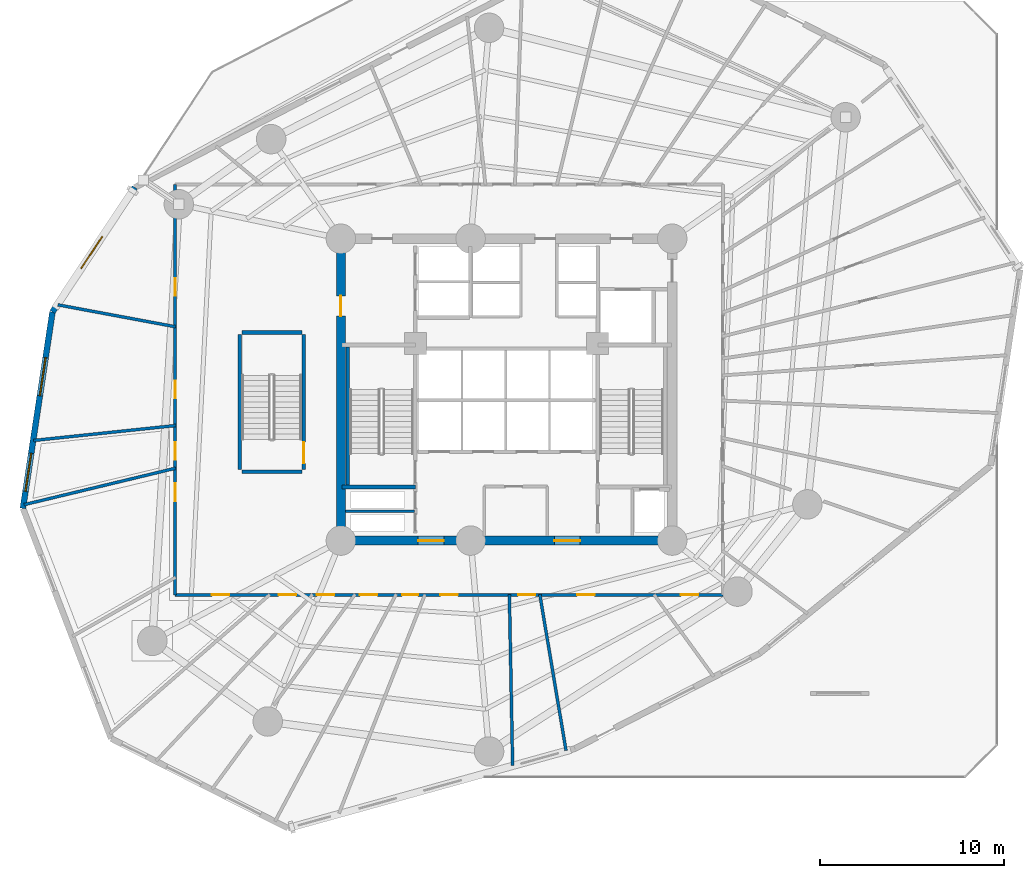
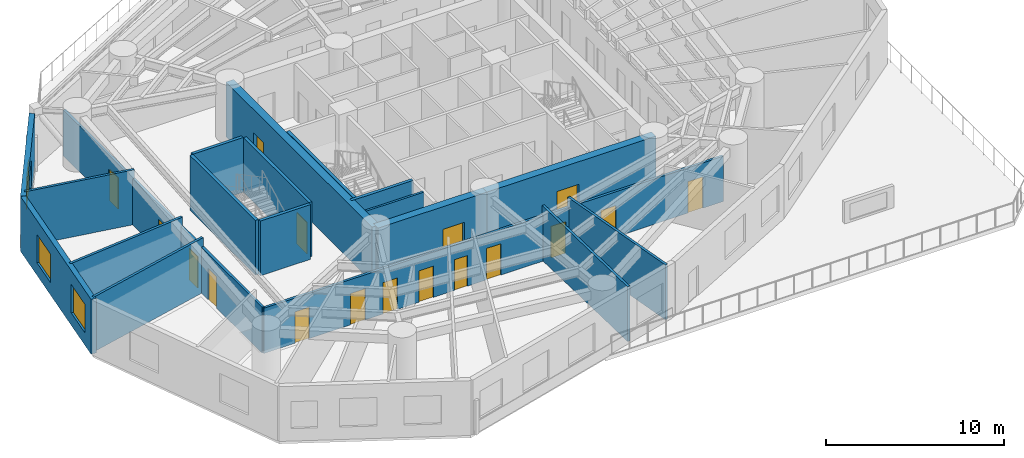
# One storey, part 7 of 16: 19 walls, 17 doors, 3 windows, 20 openings.
"""IFC4 building model written with IfcOpenShell, lengths in metres."""

from ifc_helpers import new_model, si_unit, direction, frame, frame_2d, origin, origin_with_axes, place, context, subcontext, project, spatial, rectangle, extrude, source, transform, mapped, material, layer, layer_set, type_object, element, fill, save


model = new_model("IFC4")

# Units and contexts
model_context = context("Model", 3, precision=1e-05, world=origin(), true_north=direction((0.0, 1.0)))
body_context = subcontext(model_context, "Body", "Model", "MODEL_VIEW")
ifc_project = project(units=[si_unit("LENGTHUNIT", "METRE"), si_unit("AREAUNIT", "SQUARE_METRE"), si_unit("VOLUMEUNIT", "CUBIC_METRE"), si_unit("PLANEANGLEUNIT", "RADIAN"), si_unit("MASSUNIT", "GRAM", prefix="KILO")], contexts=[model_context])

# Site, building, storey
site_placement = place(None, origin())
site = spatial("IfcSite", under=ifc_project, at=site_placement, CompositionType="ELEMENT")
building_placement = place(site_placement, origin())
building = spatial("IfcBuilding", under=site, at=building_placement, Name="Karkom Vertical University and Central Library", CompositionType="ELEMENT")
storey_placement = place(building_placement, frame((0.0, 0.0, 22.5)))
storey = spatial("IfcBuildingStorey", under=building, at=storey_placement, Name="L05", CompositionType="ELEMENT", Elevation=22.5)

# Wall, opening, window
ifc_material_1 = material(Name="Brick-faced precast concrete C45/55", Category="masonry")
ifc_layer_1 = layer(ifc_material_1, 0.320068359375)
ifc_layer_set_1 = layer_set([ifc_layer_1], Name="Brick-faced precast concrete C45/55")
wall_type_1 = type_object("IfcWallType", Name="ENV-WL-BRK-320", PredefinedType="SOLIDWALL", material=ifc_layer_set_1)
wall_1_placement = place(storey_placement, frame((8.303466796875, 37.48974609375, 0.0), z_axis=(0.0, 0.0, 1.0), x_axis=(-0.550902166831, -0.83456983086, 0.0)))
wall_1 = element("IfcWall", 1, at=wall_1_placement, inside=storey, type_object=wall_type_1, Name="Level 05 Brick-Faced Precast Facade Wall 01", PredefinedType="SOLIDWALL", context=body_context, shape_type="SweptSolid", body=[
    extrude(rectangle(XDim=8.11181640625, YDim=0.320068359375, at=frame_2d((4.055908203125, 0.0))), origin(), (0.0, 0.0, 1.0), 3.75),
])
opening_1_placement = place(wall_1_placement, frame((3.189208984375, 0.0, 0.85009765625)))
opening_1 = element("IfcOpeningElement", 2, at=opening_1_placement, cuts=wall_1, Name="Opening WN-03", PredefinedType="OPENING", context=body_context, shape_type="SweptSolid", body=[
    extrude(rectangle(XDim=2.10009765625, YDim=1.949951171875, at=frame_2d((1.050048828125, 0.97509765625))), frame((0.0, 0.169921875, 0.0), z_axis=(0.0, -1.0, 0.0), x_axis=(1.0, 0.0, 0.0)), (0.0, 0.0, 1.0), 0.340087890625),
])
ifc_material_2 = material(Name="Aluminium thermal-break frame with solar-control IGU", Category="aluminium")
window_type = type_object("IfcWindowType", Name="ENV-WIN-WN-03", PartitioningType="SINGLE_PANEL", PredefinedType="WINDOW", material=ifc_material_2)
shared_shape_1 = source(origin_with_axes(), body_context, "Body", "SweptSolid", [
    extrude(rectangle(XDim=2.10009765625, YDim=1.949951171875, at=frame_2d((1.050048828125, 0.97509765625))), frame((0.0, 0.030029296875, 0.0), z_axis=(0.0, -1.0, 0.0), x_axis=(1.0, 0.0, 0.0)), (0.0, 0.0, 1.0), 0.06005859375),
])
window_1_placement = place(opening_1_placement, origin())
window_1 = element("IfcWindow", 3, at=window_1_placement, inside=storey, type_object=window_type, Name="Level 05 Punched Window 1.1", OverallHeight=1.949951171875, OverallWidth=2.10009765625, PartitioningType="SINGLE_PANEL", PredefinedType="WINDOW", context=body_context, shape_type="MappedRepresentation", body=[
    mapped(shared_shape_1, transform((0.0, 0.0, 0.0), scale=1.0)),
])
fill(opening_1, window_1)

# Wall, openings, windows
wall_2_placement = place(storey_placement, frame((3.834716796875, 30.719970703125, 0.0), z_axis=(0.0, 0.0, 1.0), x_axis=(-0.148854906236, -0.988859048039, 0.0)))
wall_2 = element("IfcWall", 4, at=wall_2_placement, inside=storey, type_object=wall_type_1, Name="Level 05 Brick-Faced Precast Facade Wall 02", PredefinedType="SOLIDWALL", context=body_context, shape_type="SweptSolid", body=[
    extrude(rectangle(XDim=10.790283203125, YDim=0.320068359375, at=frame_2d((5.39501953125, 0.0))), origin(), (0.0, 0.0, 1.0), 3.75),
])
opening_2_placement = place(wall_2_placement, frame((2.50341796875, 0.0, 0.85009765625)))
opening_2 = element("IfcOpeningElement", 5, at=opening_2_placement, cuts=wall_2, Name="Opening WN-03", PredefinedType="OPENING", context=body_context, shape_type="SweptSolid", body=[
    extrude(rectangle(XDim=2.10009765625, YDim=1.949951171875, at=frame_2d((1.050048828125, 0.97509765625))), frame((0.0, 0.169921875, 0.0), z_axis=(0.0, -1.0, 0.0), x_axis=(1.0, 0.0, 0.0)), (0.0, 0.0, 1.0), 0.340087890625),
])
opening_3_placement = place(wall_2_placement, frame((7.75830078125, 0.0, 0.85009765625)))
opening_3 = element("IfcOpeningElement", 6, at=opening_3_placement, cuts=wall_2, Name="Opening WN-03", PredefinedType="OPENING", context=body_context, shape_type="SweptSolid", body=[
    extrude(rectangle(XDim=2.10009765625, YDim=1.949951171875, at=frame_2d((1.050048828125, 0.97509765625))), frame((0.0, 0.169921875, 0.0), z_axis=(0.0, -1.0, 0.0), x_axis=(1.0, 0.0, 0.0)), (0.0, 0.0, 1.0), 0.340087890625),
])
window_2_placement = place(opening_2_placement, origin())
window_2 = element("IfcWindow", 7, at=window_2_placement, inside=storey, type_object=window_type, Name="Level 05 Punched Window 2.1", OverallHeight=1.949951171875, OverallWidth=2.10009765625, PartitioningType="SINGLE_PANEL", PredefinedType="WINDOW", context=body_context, shape_type="MappedRepresentation", body=[
    mapped(shared_shape_1, transform((0.0, 0.0, 0.0), scale=1.0)),
])
fill(opening_2, window_2)
window_3_placement = place(opening_3_placement, origin())
window_3 = element("IfcWindow", 8, at=window_3_placement, inside=storey, type_object=window_type, Name="Level 05 Punched Window 2.2", OverallHeight=1.949951171875, OverallWidth=2.10009765625, PartitioningType="SINGLE_PANEL", PredefinedType="WINDOW", context=body_context, shape_type="MappedRepresentation", body=[
    mapped(shared_shape_1, transform((0.0, 0.0, 0.0), scale=1.0)),
])
fill(opening_3, window_3)

# Wall, openings, doors
ifc_material_3 = material(Name="Insulated metal-stud drywall 160mm", Category="gypsum")
ifc_layer_2 = layer(ifc_material_3, 0.159912109375)
ifc_layer_set_2 = layer_set([ifc_layer_2], Name="Insulated metal-stud drywall 160mm")
wall_type_2 = type_object("IfcWallType", Name="INT-WL-COR-160", PredefinedType="PARTITIONING", material=ifc_layer_set_2)
wall_3_placement = place(storey_placement, frame((40.25, 15.35009765625, 0.0), z_axis=(0.0, 0.0, 1.0), x_axis=(-1.0, 0.0, 0.0)))
wall_3 = element("IfcWall", 9, at=wall_3_placement, inside=storey, type_object=wall_type_2, Name="Level 05 Interior Partition Wall Level 05-CORW-CW-001", PredefinedType="PARTITIONING", context=body_context, shape_type="SweptSolid", body=[
    extrude(rectangle(XDim=29.75, YDim=0.159912109375, at=frame_2d((14.875, 0.0))), origin(), (0.0, 0.0, 1.0), 3.10009765625),
])
opening_4_placement = place(wall_3_placement, frame((26.802978515625, 0.0, 0.0)))
opening_4 = element("IfcOpeningElement", 10, at=opening_4_placement, cuts=wall_3, Name="Opening D-RM1", PredefinedType="OPENING", context=body_context, shape_type="SweptSolid", body=[
    extrude(rectangle(XDim=0.949951171875, YDim=2.14990234375, at=frame_2d((0.47509765625, 1.074951171875))), frame((0.0, 0.08984375, 0.0), z_axis=(0.0, -1.0, 0.0), x_axis=(1.0, 0.0, 0.0)), (0.0, 0.0, 1.0), 0.179931640625),
])
opening_5_placement = place(wall_3_placement, frame((23.18017578125, 0.0, 0.0)))
opening_5 = element("IfcOpeningElement", 11, at=opening_5_placement, cuts=wall_3, Name="Opening D-RM1", PredefinedType="OPENING", context=body_context, shape_type="SweptSolid", body=[
    extrude(rectangle(XDim=0.949951171875, YDim=2.14990234375, at=frame_2d((0.47509765625, 1.074951171875))), frame((0.0, 0.08984375, 0.0), z_axis=(0.0, -1.0, 0.0), x_axis=(1.0, 0.0, 0.0)), (0.0, 0.0, 1.0), 0.179931640625),
])
opening_6_placement = place(wall_3_placement, frame((21.097412109375, 0.0, 0.0)))
opening_6 = element("IfcOpeningElement", 12, at=opening_6_placement, cuts=wall_3, Name="Opening D-RM1", PredefinedType="OPENING", context=body_context, shape_type="SweptSolid", body=[
    extrude(rectangle(XDim=0.949951171875, YDim=2.14990234375, at=frame_2d((0.47509765625, 1.074951171875))), frame((0.0, 0.08984375, 0.0), z_axis=(0.0, -1.0, 0.0), x_axis=(1.0, 0.0, 0.0)), (0.0, 0.0, 1.0), 0.179931640625),
])
opening_7_placement = place(wall_3_placement, frame((18.7724609375, 0.0, 0.0)))
opening_7 = element("IfcOpeningElement", 13, at=opening_7_placement, cuts=wall_3, Name="Opening D-RM1", PredefinedType="OPENING", context=body_context, shape_type="SweptSolid", body=[
    extrude(rectangle(XDim=0.949951171875, YDim=2.14990234375, at=frame_2d((0.47509765625, 1.074951171875))), frame((0.0, 0.08984375, 0.0), z_axis=(0.0, -1.0, 0.0), x_axis=(1.0, 0.0, 0.0)), (0.0, 0.0, 1.0), 0.179931640625),
])
opening_8_placement = place(wall_3_placement, frame((16.55810546875, 0.0, 0.0)))
opening_8 = element("IfcOpeningElement", 14, at=opening_8_placement, cuts=wall_3, Name="Opening FD-BTH1", PredefinedType="OPENING", context=body_context, shape_type="SweptSolid", body=[
    extrude(rectangle(XDim=0.860107421875, YDim=2.10009765625, at=frame_2d((0.43017578125, 1.050048828125))), frame((0.0, 0.08984375, 0.0), z_axis=(0.0, -1.0, 0.0), x_axis=(1.0, 0.0, 0.0)), (0.0, 0.0, 1.0), 0.179931640625),
])
opening_9_placement = place(wall_3_placement, frame((14.39990234375, 0.0, 0.0)))
opening_9 = element("IfcOpeningElement", 15, at=opening_9_placement, cuts=wall_3, Name="Opening D-RM1", PredefinedType="OPENING", context=body_context, shape_type="SweptSolid", body=[
    extrude(rectangle(XDim=0.949951171875, YDim=2.14990234375, at=frame_2d((0.47509765625, 1.074951171875))), frame((0.0, 0.08984375, 0.0), z_axis=(0.0, -1.0, 0.0), x_axis=(1.0, 0.0, 0.0)), (0.0, 0.0, 1.0), 0.179931640625),
])
opening_10_placement = place(wall_3_placement, frame((10.177490234375, 0.0, 0.0)))
opening_10 = element("IfcOpeningElement", 16, at=opening_10_placement, cuts=wall_3, Name="Opening D-RM1", PredefinedType="OPENING", context=body_context, shape_type="SweptSolid", body=[
    extrude(rectangle(XDim=0.949951171875, YDim=2.14990234375, at=frame_2d((0.47509765625, 1.074951171875))), frame((0.0, 0.08984375, 0.0), z_axis=(0.0, -1.0, 0.0), x_axis=(1.0, 0.0, 0.0)), (0.0, 0.0, 1.0), 0.179931640625),
])
opening_11_placement = place(wall_3_placement, frame((6.96240234375, 0.0, 0.0)))
opening_11 = element("IfcOpeningElement", 17, at=opening_11_placement, cuts=wall_3, Name="Opening FD-RM2", PredefinedType="OPENING", context=body_context, shape_type="SweptSolid", body=[
    extrude(rectangle(XDim=0.9599609375, YDim=2.14990234375, at=frame_2d((0.47998046875, 1.074951171875))), frame((0.0, 0.08984375, 0.0), z_axis=(0.0, -1.0, 0.0), x_axis=(1.0, 0.0, 0.0)), (0.0, 0.0, 1.0), 0.179931640625),
])
opening_12_placement = place(wall_3_placement, frame((1.324951171875, 0.0, 0.0)))
opening_12 = element("IfcOpeningElement", 18, at=opening_12_placement, cuts=wall_3, Name="Opening D-RM1", PredefinedType="OPENING", context=body_context, shape_type="SweptSolid", body=[
    extrude(rectangle(XDim=0.949951171875, YDim=2.14990234375, at=frame_2d((0.47509765625, 1.074951171875))), frame((0.0, 0.08984375, 0.0), z_axis=(0.0, -1.0, 0.0), x_axis=(1.0, 0.0, 0.0)), (0.0, 0.0, 1.0), 0.179931640625),
])
ifc_material_4 = material(Name="Fire-rated oak veneer door", Category="wood")
door_type_1 = type_object("IfcDoorType", Name="INT-DR-FRM2", OperationType="NOTDEFINED", PredefinedType="DOOR", material=ifc_material_4)
shared_shape_2 = source(origin_with_axes(), body_context, "Body", "SweptSolid", [
    extrude(rectangle(XDim=0.9599609375, YDim=2.14990234375, at=frame_2d((0.47998046875, 1.074951171875))), frame((0.0, 0.02490234375, 0.0), z_axis=(0.0, -1.0, 0.0), x_axis=(1.0, 0.0, 0.0)), (0.0, 0.0, 1.0), 0.050048828125),
])
door_1_placement = place(opening_11_placement, origin())
door_1 = element("IfcDoor", 19, at=door_1_placement, inside=storey, type_object=door_type_1, Name="Level 05 Room Entry Door 090", OperationType="SINGLE_SWING_RIGHT", OverallHeight=2.14990234375, OverallWidth=0.9599609375, PredefinedType="DOOR", context=body_context, shape_type="MappedRepresentation", body=[
    mapped(shared_shape_2, transform((0.0, 0.0, 0.0), scale=1.0)),
])
fill(opening_11, door_1)
ifc_material_5 = material(Name="Fire-rated moisture-resistant oak door", Category="wood")
door_type_2 = type_object("IfcDoorType", Name="INT-DR-FBTH1", OperationType="NOTDEFINED", PredefinedType="DOOR", material=ifc_material_5)
shared_shape_3 = source(origin_with_axes(), body_context, "Body", "SweptSolid", [
    extrude(rectangle(XDim=0.860107421875, YDim=2.10009765625, at=frame_2d((0.43017578125, 1.050048828125))), frame((0.0, 0.02490234375, 0.0), z_axis=(0.0, -1.0, 0.0), x_axis=(1.0, 0.0, 0.0)), (0.0, 0.0, 1.0), 0.050048828125),
])
door_2_placement = place(opening_8_placement, origin())
door_2 = element("IfcDoor", 20, at=door_2_placement, inside=storey, type_object=door_type_2, Name="Level 05 Room Entry Door 060", OperationType="SINGLE_SWING_LEFT", OverallHeight=2.10009765625, OverallWidth=0.860107421875, PredefinedType="DOOR", context=body_context, shape_type="MappedRepresentation", body=[
    mapped(shared_shape_3, transform((0.0, 0.0, 0.0), scale=1.0)),
])
fill(opening_8, door_2)
ifc_material_6 = material(Name="Solid-core oak veneer door", Category="wood")
door_type_3 = type_object("IfcDoorType", Name="INT-DR-RM1", OperationType="NOTDEFINED", PredefinedType="DOOR", material=ifc_material_6)
shared_shape_4 = source(origin_with_axes(), body_context, "Body", "SweptSolid", [
    extrude(rectangle(XDim=0.949951171875, YDim=2.14990234375, at=frame_2d((0.47509765625, 1.074951171875))), frame((0.0, 0.02490234375, 0.0), z_axis=(0.0, -1.0, 0.0), x_axis=(1.0, 0.0, 0.0)), (0.0, 0.0, 1.0), 0.050048828125),
])
door_3_placement = place(opening_4_placement, origin())
door_3 = element("IfcDoor", 21, at=door_3_placement, inside=storey, type_object=door_type_3, Name="Level 05 Room Entry Door 020", OperationType="SINGLE_SWING_LEFT", OverallHeight=2.14990234375, OverallWidth=0.949951171875, PredefinedType="DOOR", context=body_context, shape_type="MappedRepresentation", body=[
    mapped(shared_shape_4, transform((0.0, 0.0, 0.0), scale=1.0)),
])
fill(opening_4, door_3)
door_4_placement = place(opening_5_placement, origin())
door_4 = element("IfcDoor", 22, at=door_4_placement, inside=storey, type_object=door_type_3, Name="Level 05 Room Entry Door 030", OperationType="SINGLE_SWING_RIGHT", OverallHeight=2.14990234375, OverallWidth=0.949951171875, PredefinedType="DOOR", context=body_context, shape_type="MappedRepresentation", body=[
    mapped(shared_shape_4, transform((0.0, 0.0, 0.0), scale=1.0)),
])
fill(opening_5, door_4)
door_5_placement = place(opening_6_placement, origin())
door_5 = element("IfcDoor", 23, at=door_5_placement, inside=storey, type_object=door_type_3, Name="Level 05 Room Entry Door 040", OperationType="SINGLE_SWING_LEFT", OverallHeight=2.14990234375, OverallWidth=0.949951171875, PredefinedType="DOOR", context=body_context, shape_type="MappedRepresentation", body=[
    mapped(shared_shape_4, transform((0.0, 0.0, 0.0), scale=1.0)),
])
fill(opening_6, door_5)
door_6_placement = place(opening_7_placement, origin())
door_6 = element("IfcDoor", 24, at=door_6_placement, inside=storey, type_object=door_type_3, Name="Level 05 Room Entry Door 050", OperationType="SINGLE_SWING_RIGHT", OverallHeight=2.14990234375, OverallWidth=0.949951171875, PredefinedType="DOOR", context=body_context, shape_type="MappedRepresentation", body=[
    mapped(shared_shape_4, transform((0.0, 0.0, 0.0), scale=1.0)),
])
fill(opening_7, door_6)
door_7_placement = place(opening_9_placement, origin())
door_7 = element("IfcDoor", 25, at=door_7_placement, inside=storey, type_object=door_type_3, Name="Level 05 Room Entry Door 070", OperationType="SINGLE_SWING_RIGHT", OverallHeight=2.14990234375, OverallWidth=0.949951171875, PredefinedType="DOOR", context=body_context, shape_type="MappedRepresentation", body=[
    mapped(shared_shape_4, transform((0.0, 0.0, 0.0), scale=1.0)),
])
fill(opening_9, door_7)
door_8_placement = place(opening_10_placement, origin())
door_8 = element("IfcDoor", 26, at=door_8_placement, inside=storey, type_object=door_type_3, Name="Level 05 Room Entry Door 080", OperationType="SINGLE_SWING_LEFT", OverallHeight=2.14990234375, OverallWidth=0.949951171875, PredefinedType="DOOR", context=body_context, shape_type="MappedRepresentation", body=[
    mapped(shared_shape_4, transform((0.0, 0.0, 0.0), scale=1.0)),
])
fill(opening_10, door_8)
door_9_placement = place(opening_12_placement, origin())
door_9 = element("IfcDoor", 27, at=door_9_placement, inside=storey, type_object=door_type_3, Name="Level 05 Room Entry Door 100", OperationType="SINGLE_SWING_LEFT", OverallHeight=2.14990234375, OverallWidth=0.949951171875, PredefinedType="DOOR", context=body_context, shape_type="MappedRepresentation", body=[
    mapped(shared_shape_4, transform((0.0, 0.0, 0.0), scale=1.0)),
])
fill(opening_12, door_9)

wall_4_placement = place(storey_placement, frame((10.5, 15.35009765625, 0.0), z_axis=(0.0, 0.0, 1.0), x_axis=(0.0, 1.0, 0.0)))
wall_4 = element("IfcWall", 28, at=wall_4_placement, inside=storey, type_object=wall_type_2, Name="Level 05 Interior Partition Wall Level 05-CORW-CW-002", PredefinedType="PARTITIONING", context=body_context, shape_type="SweptSolid", body=[
    extrude(rectangle(XDim=22.2998046875, YDim=0.159912109375, at=frame_2d((11.14990234375, 0.0))), origin(), (0.0, 0.0, 1.0), 3.14990234375),
])
opening_13_placement = place(wall_4_placement, frame((7.330078125, 0.0, 0.0)))
opening_13 = element("IfcOpeningElement", 29, at=opening_13_placement, cuts=wall_4, Name="Opening D-RM1", PredefinedType="OPENING", context=body_context, shape_type="SweptSolid", body=[
    extrude(rectangle(XDim=0.949951171875, YDim=2.14990234375, at=frame_2d((0.47509765625, 1.074951171875))), frame((0.0, 0.08984375, 0.0), z_axis=(0.0, -1.0, 0.0), x_axis=(1.0, 0.0, 0.0)), (0.0, 0.0, 1.0), 0.179931640625),
])
opening_14_placement = place(wall_4_placement, frame((5.10009765625, 0.0, 0.0)))
opening_14 = element("IfcOpeningElement", 30, at=opening_14_placement, cuts=wall_4, Name="Opening FD-RM2", PredefinedType="OPENING", context=body_context, shape_type="SweptSolid", body=[
    extrude(rectangle(XDim=0.9599609375, YDim=2.14990234375, at=frame_2d((0.47998046875, 1.074951171875))), frame((0.0, 0.08984375, 0.0), z_axis=(0.0, -1.0, 0.0), x_axis=(1.0, 0.0, 0.0)), (0.0, 0.0, 1.0), 0.179931640625),
])
opening_15_placement = place(wall_4_placement, frame((16.25, 0.0, 0.0)))
opening_15 = element("IfcOpeningElement", 31, at=opening_15_placement, cuts=wall_4, Name="Opening D-RM1", PredefinedType="OPENING", context=body_context, shape_type="SweptSolid", body=[
    extrude(rectangle(XDim=0.949951171875, YDim=2.14990234375, at=frame_2d((0.47509765625, 1.074951171875))), frame((0.0, 0.08984375, 0.0), z_axis=(0.0, -1.0, 0.0), x_axis=(1.0, 0.0, 0.0)), (0.0, 0.0, 1.0), 0.179931640625),
])
opening_16_placement = place(wall_4_placement, frame((10.675048828125, 0.0, 0.0)))
opening_16 = element("IfcOpeningElement", 32, at=opening_16_placement, cuts=wall_4, Name="Opening FD-RM2", PredefinedType="OPENING", context=body_context, shape_type="SweptSolid", body=[
    extrude(rectangle(XDim=0.9599609375, YDim=2.14990234375, at=frame_2d((0.47998046875, 1.074951171875))), frame((0.0, 0.08984375, 0.0), z_axis=(0.0, -1.0, 0.0), x_axis=(1.0, 0.0, 0.0)), (0.0, 0.0, 1.0), 0.179931640625),
])
door_10_placement = place(opening_14_placement, origin())
door_10 = element("IfcDoor", 33, at=door_10_placement, inside=storey, type_object=door_type_1, Name="Level 05 Room Entry Door 010", OperationType="SINGLE_SWING_RIGHT", OverallHeight=2.14990234375, OverallWidth=0.9599609375, PredefinedType="DOOR", context=body_context, shape_type="MappedRepresentation", body=[
    mapped(shared_shape_2, transform((0.0, 0.0, 0.0), scale=1.0)),
])
fill(opening_14, door_10)
door_11_placement = place(opening_16_placement, origin())
door_11 = element("IfcDoor", 34, at=door_11_placement, inside=storey, type_object=door_type_1, Name="Level 05 Room Entry Door 300", OperationType="SINGLE_SWING_RIGHT", OverallHeight=2.14990234375, OverallWidth=0.9599609375, PredefinedType="DOOR", context=body_context, shape_type="MappedRepresentation", body=[
    mapped(shared_shape_2, transform((0.0, 0.0, 0.0), scale=1.0)),
])
fill(opening_16, door_11)
door_12_placement = place(opening_13_placement, origin())
door_12 = element("IfcDoor", 35, at=door_12_placement, inside=storey, type_object=door_type_3, Name="Level 05 Room Entry Door 000", OperationType="SINGLE_SWING_LEFT", OverallHeight=2.14990234375, OverallWidth=0.949951171875, PredefinedType="DOOR", context=body_context, shape_type="MappedRepresentation", body=[
    mapped(shared_shape_4, transform((0.0, 0.0, 0.0), scale=1.0)),
])
fill(opening_13, door_12)
door_13_placement = place(opening_15_placement, origin())
door_13 = element("IfcDoor", 36, at=door_13_placement, inside=storey, type_object=door_type_3, Name="Level 05 Room Entry Door 290", OperationType="SINGLE_SWING_LEFT", OverallHeight=2.14990234375, OverallWidth=0.949951171875, PredefinedType="DOOR", context=body_context, shape_type="MappedRepresentation", body=[
    mapped(shared_shape_4, transform((0.0, 0.0, 0.0), scale=1.0)),
])
fill(opening_15, door_13)

# Walls
wall_5_placement = place(storey_placement, frame((28.652587890625, 15.3798828125, 0.0), z_axis=(0.0, 0.0, 1.0), x_axis=(0.019130224358, -0.999817000514, 0.0)))
element("IfcWall", 37, at=wall_5_placement, inside=storey, type_object=wall_type_2, Name="Level 05 Interior Partition Wall Level 05-PW-010", PredefinedType="PARTITIONING", context=body_context, shape_type="SweptSolid", body=[
    extrude(rectangle(XDim=9.290771484375, YDim=0.159912109375, at=frame_2d((4.6455078125, 0.0))), origin(), (0.0, 0.0, 1.0), 3.75),
])
wall_6_placement = place(storey_placement, frame((30.30615234375, 15.379638671875, 0.0), z_axis=(0.0, 0.0, 1.0), x_axis=(0.165558345781, -0.98619999703, 0.0)))
element("IfcWall", 38, at=wall_6_placement, inside=storey, type_object=wall_type_2, Name="Level 05 Interior Partition Wall Level 05-PW-011", PredefinedType="PARTITIONING", context=body_context, shape_type="SweptSolid", body=[
    extrude(rectangle(XDim=8.6044921875, YDim=0.159912109375, at=frame_2d((4.30224609375, 0.0))), origin(), (0.0, 0.0, 1.0), 3.75),
])
wall_7_placement = place(storey_placement, frame((10.529296875, 22.234619140625, 0.0), z_axis=(0.0, 0.0, 1.0), x_axis=(-0.972215261487, -0.234088627088, 0.0)))
element("IfcWall", 39, at=wall_7_placement, inside=storey, type_object=wall_type_2, Name="Level 05 Interior Partition Wall Level 05-PW-001", PredefinedType="PARTITIONING", context=body_context, shape_type="SweptSolid", body=[
    extrude(rectangle(XDim=8.47607421875, YDim=0.159912109375, at=frame_2d((4.238037109375, 0.0))), origin(), (0.0, 0.0, 1.0), 3.75),
])
wall_8_placement = place(storey_placement, frame((2.81103515625, 23.73876953125, 0.0), z_axis=(0.0, 0.0, 1.0), x_axis=(0.994516972569, 0.104575289969, 0.0)))
element("IfcWall", 40, at=wall_8_placement, inside=storey, type_object=wall_type_2, Name="Level 05 Interior Partition Wall Level 05-PW-002", PredefinedType="PARTITIONING", context=body_context, shape_type="SweptSolid", body=[
    extrude(rectangle(XDim=7.776611328125, YDim=0.159912109375, at=frame_2d((3.88818359375, 0.0))), origin(), (0.0, 0.0, 1.0), 3.75),
])
wall_9_placement = place(storey_placement, frame((10.529541015625, 29.912841796875, 0.0), z_axis=(0.0, 0.0, 1.0), x_axis=(-0.983053316056, 0.18331987833, 0.0)))
element("IfcWall", 41, at=wall_9_placement, inside=storey, type_object=wall_type_2, Name="Level 05 Interior Partition Wall Level 05-PW-036", PredefinedType="PARTITIONING", context=body_context, shape_type="SweptSolid", body=[
    extrude(rectangle(XDim=6.513671875, YDim=0.159912109375, at=frame_2d((3.2568359375, 0.0))), origin(), (0.0, 0.0, 1.0), 3.75),
])
ifc_material_7 = material(Name="Metal-stud gypsum partition 140mm", Category="gypsum")
ifc_layer_3 = layer(ifc_material_7, 0.139892578125)
ifc_layer_set_3 = layer_set([ifc_layer_3], Name="Metal-stud gypsum partition 140mm")
wall_type_3 = type_object("IfcWallType", Name="INT-WL-SUB-140H", PredefinedType="PARTITIONING", material=ifc_layer_set_3)
wall_10_placement = place(storey_placement, frame((19.757080078125, 19.889892578125, 0.0), z_axis=(0.0, 0.0, 1.0), x_axis=(1.0, 0.0, 0.0)))
element("IfcWall", 42, at=wall_10_placement, inside=storey, type_object=wall_type_3, Name="Level 05 Interior Partition Wall Level 05-CW-RIS-W", PredefinedType="PARTITIONING", context=body_context, shape_type="SweptSolid", body=[
    extrude(rectangle(XDim=3.7392578125, YDim=0.139892578125, at=frame_2d((1.86962890625, 0.0))), origin(), (0.0, 0.0, 1.0), 3.75),
])

# Wall, opening, door
ifc_material_8 = material(Name="Concrete C50/60", Category="concrete")
ifc_layer_4 = layer(ifc_material_8, 0.5)
ifc_layer_set_4 = layer_set([ifc_layer_4], Name="Concrete C50/60")
wall_type_4 = type_object("IfcWallType", Name="STR-WL-CW-500", PredefinedType="SHEAR", material=ifc_layer_set_4)
wall_11_placement = place(storey_placement, frame((19.5, 18.300048828125, 0.0), z_axis=(0.0, 0.0, 1.0), x_axis=(1.0, 0.0, 0.0)))
wall_11 = element("IfcWall", 43, at=wall_11_placement, inside=storey, type_object=wall_type_4, Name="Level 05 Central Core Shear Wall SW1", PredefinedType="SHEAR", context=body_context, shape_type="SweptSolid", body=[
    extrude(rectangle(XDim=7.050048828125, YDim=0.5, at=frame_2d((3.52490234375, 0.0))), origin(), (0.0, 0.0, 1.0), 3.75),
])
opening_17_placement = place(wall_11_placement, frame((4.199951171875, 0.0, 0.0)))
opening_17 = element("IfcOpeningElement", 44, at=opening_17_placement, cuts=wall_11, Name="Opening FD-CLB", PredefinedType="OPENING", context=body_context, shape_type="SweptSolid", body=[
    extrude(rectangle(XDim=1.39990234375, YDim=2.199951171875, at=frame_2d((0.699951171875, 1.10009765625))), frame((0.0, 0.260009765625, 0.0), z_axis=(0.0, -1.0, 0.0), x_axis=(1.0, 0.0, 0.0)), (0.0, 0.0, 1.0), 0.52001953125),
])
ifc_material_9 = material(Name="Painted steel fire door", Category="steel")
door_type_4 = type_object("IfcDoorType", Name="INT-DR-CLB", OperationType="DOUBLE_DOOR_SINGLE_SWING", PredefinedType="DOOR", material=ifc_material_9)
shared_shape_5 = source(origin_with_axes(), body_context, "Body", "SweptSolid", [
    extrude(rectangle(XDim=1.39990234375, YDim=2.199951171875, at=frame_2d((0.699951171875, 1.10009765625))), frame((0.0, 0.02490234375, 0.0), z_axis=(0.0, -1.0, 0.0), x_axis=(1.0, 0.0, 0.0)), (0.0, 0.0, 1.0), 0.050048828125),
])
door_14_placement = place(opening_17_placement, origin())
door_14 = element("IfcDoor", 45, at=door_14_placement, inside=storey, type_object=door_type_4, Name="Level 05 South Core Lobby West Exit Door", OperationType="DOUBLE_DOOR_SINGLE_SWING", OverallHeight=2.199951171875, OverallWidth=1.39990234375, PredefinedType="DOOR", context=body_context, shape_type="MappedRepresentation", body=[
    mapped(shared_shape_5, transform((0.0, 0.0, 0.0), scale=1.0)),
])
fill(opening_17, door_14)

wall_12_placement = place(storey_placement, frame((26.550048828125, 18.300048828125, 0.0), z_axis=(0.0, 0.0, 1.0), x_axis=(1.0, 0.0, 0.0)))
wall_12 = element("IfcWall", 46, at=wall_12_placement, inside=storey, type_object=wall_type_4, Name="Level 05 Central Core Shear Wall SW2", PredefinedType="SHEAR", context=body_context, shape_type="SweptSolid", body=[
    extrude(rectangle(XDim=10.949951171875, YDim=0.5, at=frame_2d((5.47509765625, 0.0))), origin(), (0.0, 0.0, 1.0), 3.75),
])
opening_18_placement = place(wall_12_placement, frame((4.550048828125, 0.0, 0.0)))
opening_18 = element("IfcOpeningElement", 47, at=opening_18_placement, cuts=wall_12, Name="Opening FD-CLB", PredefinedType="OPENING", context=body_context, shape_type="SweptSolid", body=[
    extrude(rectangle(XDim=1.39990234375, YDim=2.199951171875, at=frame_2d((0.699951171875, 1.10009765625))), frame((0.0, 0.260009765625, 0.0), z_axis=(0.0, -1.0, 0.0), x_axis=(1.0, 0.0, 0.0)), (0.0, 0.0, 1.0), 0.52001953125),
])
door_15_placement = place(opening_18_placement, origin())
door_15 = element("IfcDoor", 48, at=door_15_placement, inside=storey, type_object=door_type_4, Name="Level 05 South Core Lobby East Exit Door", OperationType="DOUBLE_DOOR_SINGLE_SWING", OverallHeight=2.199951171875, OverallWidth=1.39990234375, PredefinedType="DOOR", context=body_context, shape_type="MappedRepresentation", body=[
    mapped(shared_shape_5, transform((0.0, 0.0, 0.0), scale=1.0)),
])
fill(opening_18, door_15)

wall_13_placement = place(storey_placement, frame((19.5, 34.699951171875, 0.0), z_axis=(0.0, 0.0, 1.0), x_axis=(0.0, -1.0, 0.0)))
wall_13 = element("IfcWall", 49, at=wall_13_placement, inside=storey, type_object=wall_type_4, Name="Level 05 Central Core Shear Wall WW", PredefinedType="SHEAR", context=body_context, shape_type="SweptSolid", body=[
    extrude(rectangle(XDim=16.39990234375, YDim=0.5, at=frame_2d((8.199951171875, 0.0))), origin(), (0.0, 0.0, 1.0), 3.75),
])
opening_19_placement = place(wall_13_placement, frame((3.10009765625, 0.0, 0.0)))
opening_19 = element("IfcOpeningElement", 50, at=opening_19_placement, cuts=wall_13, Name="Opening FD-FFL", PredefinedType="OPENING", context=body_context, shape_type="SweptSolid", body=[
    extrude(rectangle(XDim=1.10009765625, YDim=2.14990234375, at=frame_2d((0.550048828125, 1.074951171875))), frame((0.0, 0.260009765625, 0.0), z_axis=(0.0, -1.0, 0.0), x_axis=(1.0, 0.0, 0.0)), (0.0, 0.0, 1.0), 0.52001953125),
])
ifc_material_10 = material(Name="Painted steel smoke-seal fire door", Category="steel")
door_type_5 = type_object("IfcDoorType", Name="INT-DR-FFL", OperationType="NOTDEFINED", PredefinedType="DOOR", material=ifc_material_10)
shared_shape_6 = source(origin_with_axes(), body_context, "Body", "SweptSolid", [
    extrude(rectangle(XDim=1.10009765625, YDim=2.14990234375, at=frame_2d((0.550048828125, 1.074951171875))), frame((0.0, 0.02490234375, 0.0), z_axis=(0.0, -1.0, 0.0), x_axis=(1.0, 0.0, 0.0)), (0.0, 0.0, 1.0), 0.050048828125),
])
door_16_placement = place(opening_19_placement, origin())
door_16 = element("IfcDoor", 51, at=door_16_placement, inside=storey, type_object=door_type_5, Name="Level 05 West Corridor Firefighting Lobby Door", OperationType="SINGLE_SWING_RIGHT", OverallHeight=2.14990234375, OverallWidth=1.10009765625, PredefinedType="DOOR", context=body_context, shape_type="MappedRepresentation", body=[
    mapped(shared_shape_6, transform((0.0, 0.0, 0.0), scale=1.0)),
])
fill(opening_19, door_16)

# Walls
ifc_material_11 = material(Name="Concrete C45/55", Category="concrete")
ifc_layer_5 = layer(ifc_material_11, 0.199951171875)
ifc_layer_set_5 = layer_set([ifc_layer_5], Name="Concrete C45/55")
wall_type_5 = type_object("IfcWallType", Name="STR-WL-ST-200", PredefinedType="SHEAR", material=ifc_layer_set_5)
wall_14_placement = place(storey_placement, frame((19.875, 21.320068359375, 0.0), z_axis=(0.0, 0.0, 1.0), x_axis=(0.0, 1.0, 0.0)))
element("IfcWall", 52, at=wall_14_placement, inside=storey, type_object=wall_type_5, Name="Level 05 Core Shaft Wall Level 05-CW-ST1-W", PredefinedType="SHEAR", context=body_context, shape_type="SweptSolid", body=[
    extrude(rectangle(XDim=7.5, YDim=0.199951171875, at=frame_2d((3.75, 0.0))), origin(), (0.0, 0.0, 1.0), 3.75),
])
wall_15_placement = place(storey_placement, frame((14.014892578125, 22.14990234375, 0.0), z_axis=(0.0, 0.0, 1.0), x_axis=(0.0, 1.0, 0.0)))
element("IfcWall", 53, at=wall_15_placement, inside=storey, type_object=wall_type_5, Name="Level 05 Core Shaft Wall Level 05-W-ST3-W", PredefinedType="SHEAR", context=body_context, shape_type="SweptSolid", body=[
    extrude(rectangle(XDim=7.35009765625, YDim=0.199951171875, at=frame_2d((3.675048828125, 0.0))), origin(), (0.0, 0.0, 1.0), 3.75),
])

# Wall, opening, door
wall_16_placement = place(storey_placement, frame((17.485107421875, 22.14990234375, 0.0), z_axis=(0.0, 0.0, 1.0), x_axis=(0.0, 1.0, 0.0)))
wall_16 = element("IfcWall", 54, at=wall_16_placement, inside=storey, type_object=wall_type_5, Name="Level 05 Core Shaft Wall Level 05-W-ST3-E", PredefinedType="SHEAR", context=body_context, shape_type="SweptSolid", body=[
    extrude(rectangle(XDim=7.35009765625, YDim=0.199951171875, at=frame_2d((3.675048828125, 0.0))), origin(), (0.0, 0.0, 1.0), 3.75),
])
opening_20_placement = place(wall_16_placement, frame((0.35009765625, 0.0, 0.0)))
opening_20 = element("IfcOpeningElement", 55, at=opening_20_placement, cuts=wall_16, Name="Opening FD-ST1", PredefinedType="OPENING", context=body_context, shape_type="SweptSolid", body=[
    extrude(rectangle(XDim=1.14990234375, YDim=2.14990234375, at=frame_2d((0.574951171875, 1.074951171875))), frame((0.0, 0.10986328125, 0.0), z_axis=(0.0, -1.0, 0.0), x_axis=(1.0, 0.0, 0.0)), (0.0, 0.0, 1.0), 0.219970703125),
])
ifc_material_12 = material(Name="Painted steel acoustic fire door", Category="steel")
door_type_6 = type_object("IfcDoorType", Name="INT-DR-ST1", OperationType="NOTDEFINED", PredefinedType="DOOR", material=ifc_material_12)
shared_shape_7 = source(origin_with_axes(), body_context, "Body", "SweptSolid", [
    extrude(rectangle(XDim=1.14990234375, YDim=2.14990234375, at=frame_2d((0.574951171875, 1.074951171875))), frame((0.0, 0.02490234375, 0.0), z_axis=(0.0, -1.0, 0.0), x_axis=(1.0, 0.0, 0.0)), (0.0, 0.0, 1.0), 0.050048828125),
])
door_17_placement = place(opening_20_placement, origin())
door_17 = element("IfcDoor", 56, at=door_17_placement, inside=storey, type_object=door_type_6, Name="Level 05 Stair ST-3 Fire Door", OperationType="SINGLE_SWING_RIGHT", OverallHeight=2.14990234375, OverallWidth=1.14990234375, PredefinedType="DOOR", context=body_context, shape_type="MappedRepresentation", body=[
    mapped(shared_shape_7, transform((0.0, 0.0, 0.0), scale=1.0)),
])
fill(opening_20, door_17)

# Walls
wall_17_placement = place(storey_placement, frame((19.550048828125, 21.215087890625, 0.0), z_axis=(0.0, 0.0, 1.0), x_axis=(1.0, 0.0, 0.0)))
element("IfcWall", 57, at=wall_17_placement, inside=storey, type_object=wall_type_5, Name="Level 05 Core Shaft Wall Level 05-CW-ST1-S", PredefinedType="SHEAR", context=body_context, shape_type="SweptSolid", body=[
    extrude(rectangle(XDim=3.994873046875, YDim=0.199951171875, at=frame_2d((1.99755859375, 0.0))), origin(), (0.0, 0.0, 1.0), 3.75),
])
for number, where, z_axis, x_axis, name in (
    (58, (14.1201171875, 22.044921875, 0.0), (0.0, 0.0, 1.0), (1.0, 0.0, 0.0), "Level 05 Core Shaft Wall Level 05-W-ST3-S"),
    (59, (14.1201171875, 29.60498046875, 0.0), (0.0, 0.0, 1.0), (1.0, 0.0, 0.0), "Level 05 Core Shaft Wall Level 05-W-ST3-N"),
):
    element("IfcWall", number, at=place(storey_placement, frame(where, z_axis=z_axis, x_axis=x_axis)), inside=storey, type_object=wall_type_5, Name=name, PredefinedType="SHEAR", context=body_context, shape_type="SweptSolid", body=[
        extrude(rectangle(XDim=3.259765625, YDim=0.199951171875, at=frame_2d((1.6298828125, 0.0))), origin(), (0.0, 0.0, 1.0), 3.75),
    ])

save(model, "model.ifc")
